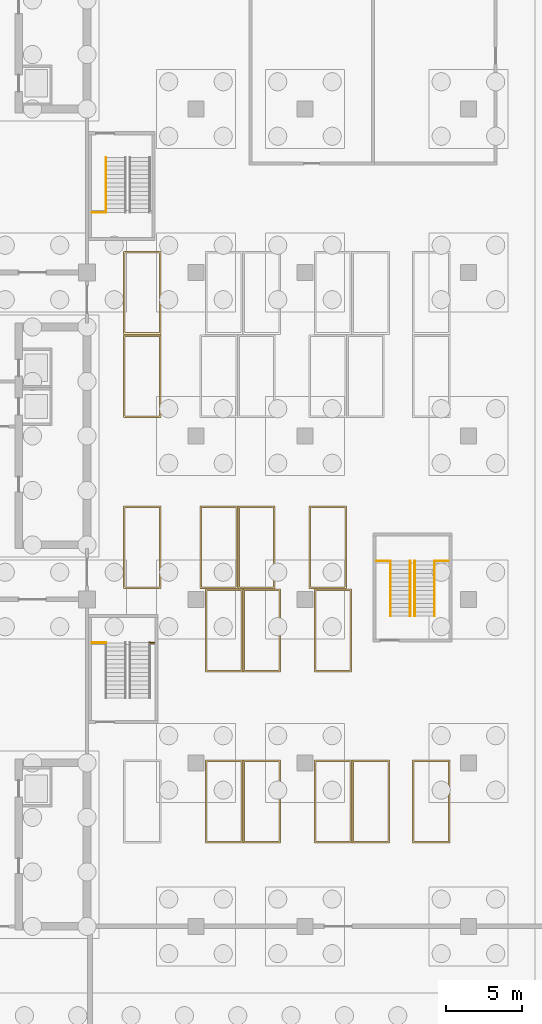
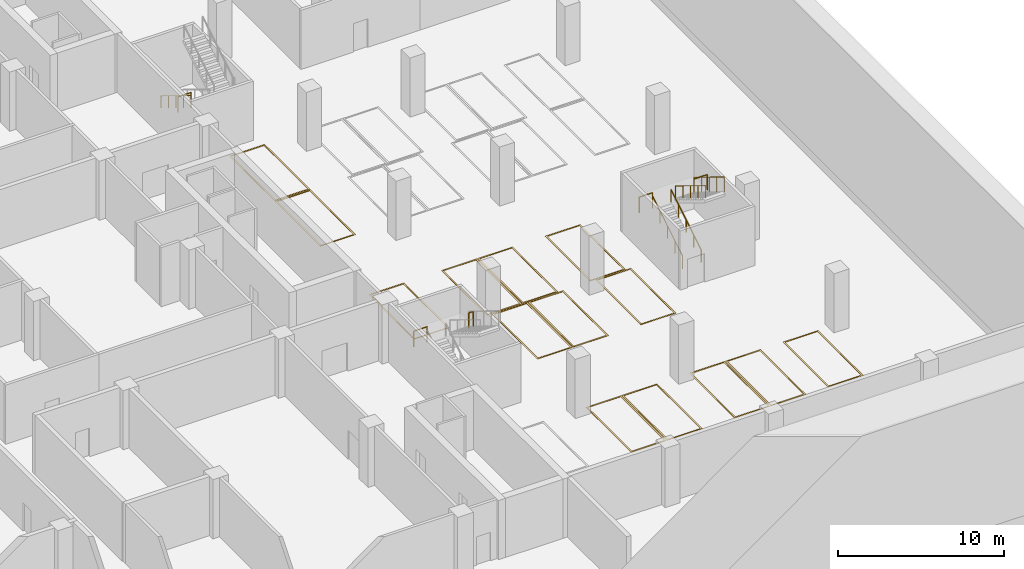
# One storey, part 15 of 18: 14 coverings, 10 railings.
"""IFC4 building model written with IfcOpenShell, lengths in metres."""

from ifc_helpers import new_model, si_unit, direction, frame, origin, origin_2d, place, context, subcontext, project, spatial, polyline, circle, outline, extrude, material, layer, layer_set, type_object, element, save


model = new_model("IFC4")

# Units and contexts
model_context = context("Model", 3, precision=1e-05, world=origin(), true_north=direction((0.0, 1.0)))
body_context = subcontext(model_context, "Body", "Model", "MODEL_VIEW")
ifc_project = project(units=[si_unit("LENGTHUNIT", "METRE"), si_unit("AREAUNIT", "SQUARE_METRE"), si_unit("VOLUMEUNIT", "CUBIC_METRE"), si_unit("PLANEANGLEUNIT", "RADIAN"), si_unit("MASSUNIT", "GRAM", prefix="KILO")], contexts=[model_context])

# Site, building, storey
site_placement = place(None, origin())
site = spatial("IfcSite", under=ifc_project, at=site_placement, CompositionType="ELEMENT")
building_placement = place(site_placement, origin())
building = spatial("IfcBuilding", under=site, at=building_placement, Name="Basin Gate Institute", CompositionType="ELEMENT")
storey_placement = place(building_placement, frame((0.0, 0.0, -9.60009765625)))
storey = spatial("IfcBuildingStorey", under=building, at=storey_placement, Name="B2", CompositionType="ELEMENT", Elevation=-9.60009765625)

# Coverings
ifc_material_1 = material(Name="Road marking paint, white")
ifc_layer = layer(ifc_material_1, 0.010009765625)
ifc_layer_set = layer_set([ifc_layer], Name="Parking bay marking PM1")
covering_type = type_object("IfcCoveringType", Name="Parking bay marking PM1", PredefinedType="FLOORING", material=ifc_layer_set)
covering_1_placement = place(storey_placement, origin())
element("IfcCovering", 1, at=covering_1_placement, inside=storey, type_object=covering_type, material=ifc_layer_set, Name="Parking bay marking B2-03 29", PredefinedType="FLOORING", context=body_context, shape_type="SweptSolid", body=[
    extrude(outline(polyline([(126.6201171875, 40.6201171875), (129.080078125, 40.6201171875), (129.080078125, 46.080078125), (126.6201171875, 46.080078125), (126.6201171875, 40.6201171875)]), holes=[polyline([(126.719970703125, 40.719970703125), (128.97998046875, 40.719970703125), (128.97998046875, 45.97998046875), (126.719970703125, 45.97998046875), (126.719970703125, 40.719970703125)])]), origin(), (0.0, 0.0, 1.0), 0.010009765625),
])
covering_2_placement = place(storey_placement, origin())
element("IfcCovering", 2, at=covering_2_placement, inside=storey, type_object=covering_type, material=ifc_layer_set, Name="Parking bay marking B2-03 30", PredefinedType="FLOORING", context=body_context, shape_type="SweptSolid", body=[
    extrude(outline(polyline([(129.1201171875, 40.6201171875), (131.580078125, 40.6201171875), (131.580078125, 46.080078125), (129.1201171875, 46.080078125), (129.1201171875, 40.6201171875)]), holes=[polyline([(129.219970703125, 40.719970703125), (131.47998046875, 40.719970703125), (131.47998046875, 45.97998046875), (129.219970703125, 45.97998046875), (129.219970703125, 40.719970703125)])]), origin(), (0.0, 0.0, 1.0), 0.010009765625),
])
covering_3_placement = place(storey_placement, origin())
element("IfcCovering", 3, at=covering_3_placement, inside=storey, type_object=covering_type, material=ifc_layer_set, Name="Parking bay marking B2-03 31", PredefinedType="FLOORING", context=body_context, shape_type="SweptSolid", body=[
    extrude(outline(polyline([(133.820068359375, 40.6201171875), (136.280029296875, 40.6201171875), (136.280029296875, 46.080078125), (133.820068359375, 46.080078125), (133.820068359375, 40.6201171875)]), holes=[polyline([(133.919921875, 40.719970703125), (136.179931640625, 40.719970703125), (136.179931640625, 45.97998046875), (133.919921875, 45.97998046875), (133.919921875, 40.719970703125)])]), origin(), (0.0, 0.0, 1.0), 0.010009765625),
])
covering_4_placement = place(storey_placement, origin())
element("IfcCovering", 4, at=covering_4_placement, inside=storey, type_object=covering_type, material=ifc_layer_set, Name="Parking bay marking B2-03 32", PredefinedType="FLOORING", context=body_context, shape_type="SweptSolid", body=[
    extrude(outline(polyline([(136.320068359375, 40.6201171875), (138.780029296875, 40.6201171875), (138.780029296875, 46.080078125), (136.320068359375, 46.080078125), (136.320068359375, 40.6201171875)]), holes=[polyline([(136.419921875, 40.719970703125), (138.679931640625, 40.719970703125), (138.679931640625, 45.97998046875), (136.419921875, 45.97998046875), (136.419921875, 40.719970703125)])]), origin(), (0.0, 0.0, 1.0), 0.010009765625),
])
covering_5_placement = place(storey_placement, origin())
element("IfcCovering", 5, at=covering_5_placement, inside=storey, type_object=covering_type, material=ifc_layer_set, Name="Parking bay marking B2-03 33", PredefinedType="FLOORING", context=body_context, shape_type="SweptSolid", body=[
    extrude(outline(polyline([(126.6201171875, 51.919921875), (129.080078125, 51.919921875), (129.080078125, 57.3798828125), (126.6201171875, 57.3798828125), (126.6201171875, 51.919921875)]), holes=[polyline([(126.719970703125, 52.02001953125), (128.97998046875, 52.02001953125), (128.97998046875, 57.280029296875), (126.719970703125, 57.280029296875), (126.719970703125, 52.02001953125)])]), origin(), (0.0, 0.0, 1.0), 0.010009765625),
])
covering_6_placement = place(storey_placement, origin())
element("IfcCovering", 6, at=covering_6_placement, inside=storey, type_object=covering_type, material=ifc_layer_set, Name="Parking bay marking B2-03 34", PredefinedType="FLOORING", context=body_context, shape_type="SweptSolid", body=[
    extrude(outline(polyline([(129.1201171875, 51.919921875), (131.580078125, 51.919921875), (131.580078125, 57.3798828125), (129.1201171875, 57.3798828125), (129.1201171875, 51.919921875)]), holes=[polyline([(129.219970703125, 52.02001953125), (131.47998046875, 52.02001953125), (131.47998046875, 57.280029296875), (129.219970703125, 57.280029296875), (129.219970703125, 52.02001953125)])]), origin(), (0.0, 0.0, 1.0), 0.010009765625),
])
covering_7_placement = place(storey_placement, origin())
element("IfcCovering", 7, at=covering_7_placement, inside=storey, type_object=covering_type, material=ifc_layer_set, Name="Parking bay marking B2-03 35", PredefinedType="FLOORING", context=body_context, shape_type="SweptSolid", body=[
    extrude(outline(polyline([(133.820068359375, 51.919921875), (136.280029296875, 51.919921875), (136.280029296875, 57.3798828125), (133.820068359375, 57.3798828125), (133.820068359375, 51.919921875)]), holes=[polyline([(133.919921875, 52.02001953125), (136.179931640625, 52.02001953125), (136.179931640625, 57.280029296875), (133.919921875, 57.280029296875), (133.919921875, 52.02001953125)])]), origin(), (0.0, 0.0, 1.0), 0.010009765625),
])
covering_8_placement = place(storey_placement, origin())
element("IfcCovering", 8, at=covering_8_placement, inside=storey, type_object=covering_type, material=ifc_layer_set, Name="Parking bay marking B2-03 36", PredefinedType="FLOORING", context=body_context, shape_type="SweptSolid", body=[
    extrude(outline(polyline([(121.219970703125, 57.419921875), (123.679931640625, 57.419921875), (123.679931640625, 62.8798828125), (121.219970703125, 62.8798828125), (121.219970703125, 57.419921875)]), holes=[polyline([(121.320068359375, 57.52001953125), (123.580078125, 57.52001953125), (123.580078125, 62.780029296875), (121.320068359375, 62.780029296875), (121.320068359375, 57.52001953125)])]), origin(), (0.0, 0.0, 1.0), 0.010009765625),
])
covering_9_placement = place(storey_placement, origin())
element("IfcCovering", 9, at=covering_9_placement, inside=storey, type_object=covering_type, material=ifc_layer_set, Name="Parking bay marking B2-03 37", PredefinedType="FLOORING", context=body_context, shape_type="SweptSolid", body=[
    extrude(outline(polyline([(126.27001953125, 57.419921875), (128.72998046875, 57.419921875), (128.72998046875, 62.8798828125), (126.27001953125, 62.8798828125), (126.27001953125, 57.419921875)]), holes=[polyline([(126.3701171875, 57.52001953125), (128.6298828125, 57.52001953125), (128.6298828125, 62.780029296875), (126.3701171875, 62.780029296875), (126.3701171875, 57.52001953125)])]), origin(), (0.0, 0.0, 1.0), 0.010009765625),
])
covering_10_placement = place(storey_placement, origin())
element("IfcCovering", 10, at=covering_10_placement, inside=storey, type_object=covering_type, material=ifc_layer_set, Name="Parking bay marking B2-03 38", PredefinedType="FLOORING", context=body_context, shape_type="SweptSolid", body=[
    extrude(outline(polyline([(128.77001953125, 57.419921875), (131.22998046875, 57.419921875), (131.22998046875, 62.8798828125), (128.77001953125, 62.8798828125), (128.77001953125, 57.419921875)]), holes=[polyline([(128.8701171875, 57.52001953125), (131.1298828125, 57.52001953125), (131.1298828125, 62.780029296875), (128.8701171875, 62.780029296875), (128.8701171875, 57.52001953125)])]), origin(), (0.0, 0.0, 1.0), 0.010009765625),
])
covering_11_placement = place(storey_placement, origin())
element("IfcCovering", 11, at=covering_11_placement, inside=storey, type_object=covering_type, material=ifc_layer_set, Name="Parking bay marking B2-03 39", PredefinedType="FLOORING", context=body_context, shape_type="SweptSolid", body=[
    extrude(outline(polyline([(133.469970703125, 57.419921875), (135.929931640625, 57.419921875), (135.929931640625, 62.8798828125), (133.469970703125, 62.8798828125), (133.469970703125, 57.419921875)]), holes=[polyline([(133.570068359375, 57.52001953125), (135.830078125, 57.52001953125), (135.830078125, 62.780029296875), (133.570068359375, 62.780029296875), (133.570068359375, 57.52001953125)])]), origin(), (0.0, 0.0, 1.0), 0.010009765625),
])
covering_12_placement = place(storey_placement, origin())
element("IfcCovering", 12, at=covering_12_placement, inside=storey, type_object=covering_type, material=ifc_layer_set, Name="Parking bay marking B2-03 40", PredefinedType="FLOORING", context=body_context, shape_type="SweptSolid", body=[
    extrude(outline(polyline([(121.219970703125, 68.719970703125), (123.679931640625, 68.719970703125), (123.679931640625, 74.179931640625), (121.219970703125, 74.179931640625), (121.219970703125, 68.719970703125)]), holes=[polyline([(121.320068359375, 68.820068359375), (123.580078125, 68.820068359375), (123.580078125, 74.080078125), (121.320068359375, 74.080078125), (121.320068359375, 68.820068359375)])]), origin(), (0.0, 0.0, 1.0), 0.010009765625),
])
covering_13_placement = place(storey_placement, origin())
element("IfcCovering", 13, at=covering_13_placement, inside=storey, type_object=covering_type, material=ifc_layer_set, Name="Parking bay marking B2-03 45", PredefinedType="FLOORING", context=body_context, shape_type="SweptSolid", body=[
    extrude(outline(polyline([(121.219970703125, 74.219970703125), (123.679931640625, 74.219970703125), (123.679931640625, 79.679931640625), (121.219970703125, 79.679931640625), (121.219970703125, 74.219970703125)]), holes=[polyline([(121.320068359375, 74.320068359375), (123.580078125, 74.320068359375), (123.580078125, 79.580078125), (121.320068359375, 79.580078125), (121.320068359375, 74.320068359375)])]), origin(), (0.0, 0.0, 1.0), 0.010009765625),
])
covering_14_placement = place(storey_placement, origin())
element("IfcCovering", 14, at=covering_14_placement, inside=storey, type_object=covering_type, material=ifc_layer_set, Name="Parking bay marking B2-04 50", PredefinedType="FLOORING", context=body_context, shape_type="SweptSolid", body=[
    extrude(outline(polyline([(140.320068359375, 40.6201171875), (142.780029296875, 40.6201171875), (142.780029296875, 46.080078125), (140.320068359375, 46.080078125), (140.320068359375, 40.6201171875)]), holes=[polyline([(140.419921875, 40.719970703125), (142.679931640625, 40.719970703125), (142.679931640625, 45.97998046875), (140.419921875, 45.97998046875), (140.419921875, 40.719970703125)])]), origin(), (0.0, 0.0, 1.0), 0.010009765625),
])

# Railings
ifc_material_2 = material(Name="Stainless steel", Category="steel")
railing_type_1 = type_object("IfcRailingType", Name="Stair guard GR1", PredefinedType="GUARDRAIL", material=ifc_material_2)
railing_1_placement = place(storey_placement, frame((141.75, 59.239990234375, 2.571533203125)))
element("IfcRailing", 15, at=railing_1_placement, inside=storey, type_object=railing_type_1, material=ifc_material_2, Name="Stair guard GR1 BS6 GD1", PredefinedType="GUARDRAIL", context=body_context, shape_type="SweptSolid", body=[
    extrude(circle(Radius=0.02392578125, at=origin_2d()), frame((0.0, 0.0, 1.076171875), z_axis=(0.0, -0.852850264322, 0.5221555579), x_axis=(1.0, 0.0, 0.0)), (0.0, 0.0, 1.0), 4.267822265625),
    extrude(circle(Radius=0.02099609375, at=origin_2d()), origin(), (0.0, 0.0, 1.0), 1.052001953125),
    extrude(circle(Radius=0.02099609375, at=origin_2d()), frame((0.0, -0.909912109375, 0.55712890625)), (0.0, 0.0, 1.0), 1.052001953125),
    extrude(circle(Radius=0.02099609375, at=origin_2d()), frame((0.0, -1.81982421875, 1.1142578125)), (0.0, 0.0, 1.0), 1.052001953125),
    extrude(circle(Radius=0.02099609375, at=origin_2d()), frame((0.0, -2.72998046875, 1.67138671875)), (0.0, 0.0, 1.0), 1.052001953125),
    extrude(circle(Radius=0.02099609375, at=origin_2d()), frame((0.0, -3.639892578125, 2.228515625)), (0.0, 0.0, 1.0), 1.052001953125),
])
ifc_material_3 = material(Name="Stainless steel", Category="steel")
railing_type_2 = type_object("IfcRailingType", Name="Stair guard GR3", PredefinedType="GUARDRAIL", material=ifc_material_3)
railing_2_placement = place(storey_placement, frame((122.949951171875, 53.840087890625, 2.400146484375)))
element("IfcRailing", 16, at=railing_2_placement, inside=storey, type_object=railing_type_2, material=ifc_material_3, Name="Stair guard GR3 BS3 GD2", PredefinedType="GUARDRAIL", context=body_context, shape_type="SweptSolid", body=[
    extrude(circle(Radius=0.02392578125, at=origin_2d()), frame((0.0, 0.0, 1.1259765625), z_axis=(1.0, 0.0, 0.0), x_axis=(0.0, 1.0, 0.0)), (0.0, 0.0, 1.0), 0.320068359375),
    extrude(circle(Radius=0.02099609375, at=origin_2d()), origin(), (0.0, 0.0, 1.0), 1.101806640625),
    extrude(circle(Radius=0.02099609375, at=origin_2d()), frame((0.320068359375, 0.0, 0.0)), (0.0, 0.0, 1.0), 1.101806640625),
])
for number, where, name in (
    (17, (119.1298828125, 53.840087890625, 2.400146484375), "Stair guard GR3 BS3 GD2b"),
    (18, (119.1298828125, 82.260009765625, 2.400146484375), "Stair guard GR3 BS4 GD2b"),
):
    element("IfcRailing", number, at=place(storey_placement, frame(where)), inside=storey, type_object=railing_type_2, material=ifc_material_3, Name=name, PredefinedType="GUARDRAIL", context=body_context, shape_type="SweptSolid", body=[
        extrude(circle(Radius=0.02392578125, at=origin_2d()), frame((0.0, 0.0, 1.1259765625), z_axis=(1.0, 0.0, 0.0), x_axis=(0.0, 1.0, 0.0)), (0.0, 0.0, 1.0), 0.920166015625),
        extrude(circle(Radius=0.02099609375, at=origin_2d()), origin(), (0.0, 0.0, 1.0), 1.101806640625),
        extrude(circle(Radius=0.02099609375, at=origin_2d()), frame((0.920166015625, 0.0, 0.0)), (0.0, 0.0, 1.0), 1.101806640625),
    ])
railing_3_placement = place(storey_placement, frame((141.75, 59.239990234375, 2.400146484375)))
element("IfcRailing", 19, at=railing_3_placement, inside=storey, type_object=railing_type_2, material=ifc_material_3, Name="Stair guard GR3 BS6 GD2", PredefinedType="GUARDRAIL", context=body_context, shape_type="SweptSolid", body=[
    extrude(circle(Radius=0.02392578125, at=origin_2d()), frame((0.0, 0.0, 1.1259765625), z_axis=(1.0, 0.0, 0.0), x_axis=(0.0, 1.0, 0.0)), (0.0, 0.0, 1.0), 0.919921875),
    extrude(circle(Radius=0.02099609375, at=origin_2d()), origin(), (0.0, 0.0, 1.0), 1.101806640625),
    extrude(circle(Radius=0.02099609375, at=origin_2d()), frame((0.919921875, 0.0, 0.0)), (0.0, 0.0, 1.0), 1.101806640625),
])
railing_4_placement = place(storey_placement, frame((137.929931640625, 59.239990234375, 2.400146484375)))
element("IfcRailing", 20, at=railing_4_placement, inside=storey, type_object=railing_type_2, material=ifc_material_3, Name="Stair guard GR3 BS6 GD2b", PredefinedType="GUARDRAIL", context=body_context, shape_type="SweptSolid", body=[
    extrude(circle(Radius=0.02392578125, at=origin_2d()), frame((0.0, 0.0, 1.1259765625), z_axis=(1.0, 0.0, 0.0), x_axis=(0.0, 1.0, 0.0)), (0.0, 0.0, 1.0), 0.920166015625),
    extrude(circle(Radius=0.02099609375, at=origin_2d()), origin(), (0.0, 0.0, 1.0), 1.101806640625),
    extrude(circle(Radius=0.02099609375, at=origin_2d()), frame((0.920166015625, 0.0, 0.0)), (0.0, 0.0, 1.0), 1.101806640625),
])
ifc_material_4 = material(Name="Stainless steel", Category="steel")
railing_type_3 = type_object("IfcRailingType", Name="Stair handrail HR1", PredefinedType="HANDRAIL", material=ifc_material_4)
railing_5_placement = place(storey_placement, frame((120.050048828125, 85.89990234375, 0.171630859375)))
element("IfcRailing", 21, at=railing_5_placement, inside=storey, type_object=railing_type_3, material=ifc_material_4, Name="Stair handrail HR1 BS4 HR1", PredefinedType="HANDRAIL", context=body_context, shape_type="SweptSolid", body=[
    extrude(circle(Radius=0.02392578125, at=origin_2d()), frame((0.0, 0.0, 0.89599609375), z_axis=(0.0, -0.852850264322, 0.5221555579), x_axis=(1.0, 0.0, 0.0)), (0.0, 0.0, 1.0), 4.267822265625),
    extrude(circle(Radius=0.02099609375, at=origin_2d()), origin(), (0.0, 0.0, 1.0), 0.871826171875),
    extrude(circle(Radius=0.02099609375, at=origin_2d()), frame((0.0, -0.909912109375, 0.55712890625)), (0.0, 0.0, 1.0), 0.871826171875),
    extrude(circle(Radius=0.02099609375, at=origin_2d()), frame((0.0, -1.81982421875, 1.1142578125)), (0.0, 0.0, 1.0), 0.871826171875),
    extrude(circle(Radius=0.02099609375, at=origin_2d()), frame((0.0, -2.72998046875, 1.67138671875)), (0.0, 0.0, 1.0), 0.871826171875),
    extrude(circle(Radius=0.02099609375, at=origin_2d()), frame((0.0, -3.639892578125, 2.228515625)), (0.0, 0.0, 1.0), 0.871826171875),
])
for number, where, name in (
    (22, (138.85009765625, 55.60009765625, 0.171630859375), "Stair handrail HR1 BS6 HR1"),
    (23, (140.14990234375, 55.60009765625, 0.171630859375), "Stair handrail HR1 BS6 HR2"),
):
    element("IfcRailing", number, at=place(storey_placement, frame(where)), inside=storey, type_object=railing_type_3, material=ifc_material_4, Name=name, PredefinedType="HANDRAIL", context=body_context, shape_type="SweptSolid", body=[
        extrude(circle(Radius=0.02392578125, at=origin_2d()), frame((0.0, 0.0, 0.89599609375), z_axis=(0.0, 0.852850264322, 0.5221555579), x_axis=(-1.0, 0.0, 0.0)), (0.0, 0.0, 1.0), 4.267822265625),
        extrude(circle(Radius=0.02099609375, at=origin_2d()), origin(), (0.0, 0.0, 1.0), 0.871826171875),
        extrude(circle(Radius=0.02099609375, at=origin_2d()), frame((0.0, 0.909912109375, 0.55712890625)), (0.0, 0.0, 1.0), 0.871826171875),
        extrude(circle(Radius=0.02099609375, at=origin_2d()), frame((0.0, 1.81982421875, 1.1142578125)), (0.0, 0.0, 1.0), 0.871826171875),
        extrude(circle(Radius=0.02099609375, at=origin_2d()), frame((0.0, 2.72998046875, 1.67138671875)), (0.0, 0.0, 1.0), 0.871826171875),
        extrude(circle(Radius=0.02099609375, at=origin_2d()), frame((0.0, 3.639892578125, 2.228515625)), (0.0, 0.0, 1.0), 0.871826171875),
    ])
railing_6_placement = place(storey_placement, frame((140.449951171875, 59.239990234375, 2.571533203125)))
element("IfcRailing", 24, at=railing_6_placement, inside=storey, type_object=railing_type_3, material=ifc_material_4, Name="Stair handrail HR1 BS6 HR3", PredefinedType="HANDRAIL", context=body_context, shape_type="SweptSolid", body=[
    extrude(circle(Radius=0.02392578125, at=origin_2d()), frame((0.0, 0.0, 0.89599609375), z_axis=(0.0, -0.852850264322, 0.5221555579), x_axis=(1.0, 0.0, 0.0)), (0.0, 0.0, 1.0), 4.267822265625),
    extrude(circle(Radius=0.02099609375, at=origin_2d()), origin(), (0.0, 0.0, 1.0), 0.871826171875),
    extrude(circle(Radius=0.02099609375, at=origin_2d()), frame((0.0, -0.909912109375, 0.55712890625)), (0.0, 0.0, 1.0), 0.871826171875),
    extrude(circle(Radius=0.02099609375, at=origin_2d()), frame((0.0, -1.81982421875, 1.1142578125)), (0.0, 0.0, 1.0), 0.871826171875),
    extrude(circle(Radius=0.02099609375, at=origin_2d()), frame((0.0, -2.72998046875, 1.67138671875)), (0.0, 0.0, 1.0), 0.871826171875),
    extrude(circle(Radius=0.02099609375, at=origin_2d()), frame((0.0, -3.639892578125, 2.228515625)), (0.0, 0.0, 1.0), 0.871826171875),
])

save(model, "model.ifc")
